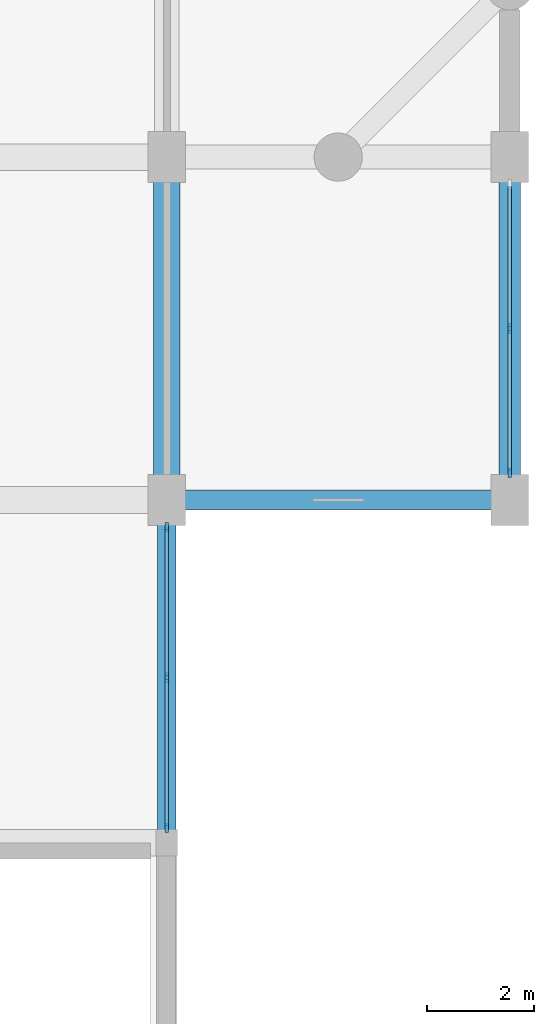
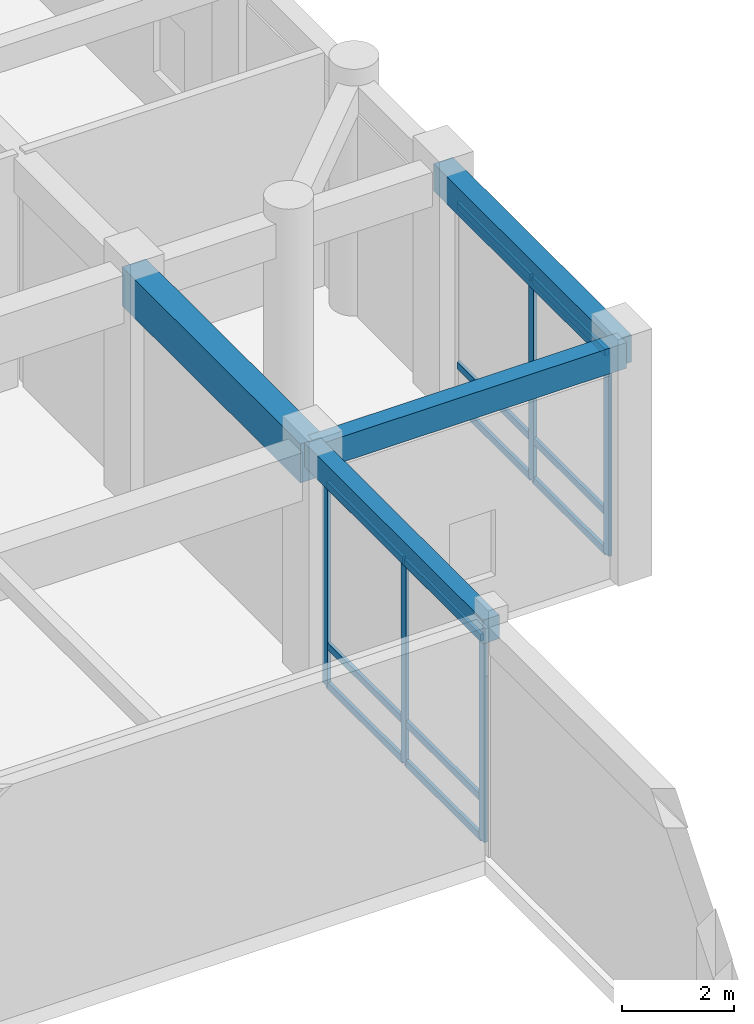
# One storey, part 14 of 36: 17 members, 4 beams, 2 elements without a shape of their own.
"""IFC4 building model written with IfcOpenShell, lengths in metres."""

import ifcopenshell
import ifcopenshell.guid

model = None  # the IFC model being written
_history = None  # IfcOwnerHistory: only IFC2X3 demands one
_inside = {}  # id of a spatial element -> (the spatial element, [elements in it])
_under = {}  # id of a project, library or spatial element -> (it, [spatial elements below it])
_declared = {}  # id of a project -> (the project, [libraries it declares])
_typed = {}  # id of a type object -> (the type object, [elements of that type])
_made_of = {}  # id of a material, layer set ... -> (it, [elements and type objects made of it])


def new_model(schema):
    """Start an empty IFC model of exactly this schema.

    Asked for "IFC4X3", IfcOpenShell would pick the latest addendum, in which some entities
    have other attributes; the version numbers below select the first issue.
    IFC2X3 requires an IfcOwnerHistory on every rooted entity: one is made here for all.
    """
    global model, _history
    if schema == "IFC4X3":
        model = ifcopenshell.file(schema_version=(4, 3, 0, 0))
    else:
        model = ifcopenshell.file(schema=schema)
    _inside.clear()
    _under.clear()
    _declared.clear()
    _typed.clear()
    _made_of.clear()
    _history = None
    if model.schema == "IFC2X3":
        org = make("IfcOrganization", Name="unknown")
        user = make(
            "IfcPersonAndOrganization",
            ThePerson=make("IfcPerson", FamilyName="unknown"),
            TheOrganization=org,
        )
        app = make(
            "IfcApplication",
            ApplicationDeveloper=org,
            Version="unknown",
            ApplicationFullName="unknown",
            ApplicationIdentifier="unknown",
        )
        _history = make(
            "IfcOwnerHistory",
            OwningUser=user,
            OwningApplication=app,
            ChangeAction="ADDED",
            CreationDate=0,
        )
    return model


def make(cls, **values):
    """One entity of the class cls with the attributes given. An attribute that is None is left unset."""
    return model.create_entity(
        cls, **{name: value for name, value in values.items() if value is not None}
    )


def rooted(cls, **values):
    """An entity with a GlobalId (a new one), such as an element, a storey or a relation."""
    return make(cls, GlobalId=ifcopenshell.guid.new(), OwnerHistory=_history, **values)


def si_unit(unit_type, name, prefix=None):
    """IfcSIUnit, for example si_unit("LENGTHUNIT", "METRE", prefix="MILLI")."""
    return make("IfcSIUnit", UnitType=unit_type, Prefix=prefix, Name=name)


def assignment(units):
    """IfcUnitAssignment: the units of a project."""
    return None if units is None else make("IfcUnitAssignment", Units=units)


def point(xyz):
    """IfcCartesianPoint."""
    return None if xyz is None else make("IfcCartesianPoint", Coordinates=xyz)


def direction(xyz):
    """IfcDirection."""
    return None if xyz is None else make("IfcDirection", DirectionRatios=xyz)


def frame(location, z_axis=None, x_axis=None):
    """IfcAxis2Placement3D, a coordinate frame: its origin and axes. An axis left out is left unset."""
    return make(
        "IfcAxis2Placement3D",
        Location=point(location),
        Axis=direction(z_axis),
        RefDirection=direction(x_axis),
    )


def frame_2d(location, x_axis=None):
    """IfcAxis2Placement2D, a coordinate frame in the plane: its origin and x axis."""
    return make(
        "IfcAxis2Placement2D", Location=point(location), RefDirection=direction(x_axis)
    )


def origin():
    """The frame at (0, 0, 0) with its axes left unset."""
    return frame((0.0, 0.0, 0.0))


def origin_2d():
    """The frame at (0, 0) in the plane with its x axis left unset."""
    return frame_2d((0.0, 0.0))


def place(relative_to, where):
    """IfcLocalPlacement: puts the frame where relative to a parent placement (None: the world)."""
    return make(
        "IfcLocalPlacement", PlacementRelTo=relative_to, RelativePlacement=where
    )


def context(
    kind, dimensions, precision=None, world=None, true_north=None, identifier=None
):
    """IfcGeometricRepresentationContext, for example the 3D "Model" context."""
    return make(
        "IfcGeometricRepresentationContext",
        ContextIdentifier=identifier,
        ContextType=kind,
        CoordinateSpaceDimension=dimensions,
        Precision=precision,
        WorldCoordinateSystem=world,
        TrueNorth=true_north,
    )


def subcontext(parent, identifier, kind, view, scale=None):
    """IfcGeometricRepresentationSubContext, for example "Body" below "Model"."""
    return make(
        "IfcGeometricRepresentationSubContext",
        ContextIdentifier=identifier,
        ContextType=kind,
        ParentContext=parent,
        TargetScale=scale,
        TargetView=view,
    )


def project(units=None, contexts=None):
    """IfcProject with its units and contexts."""
    return rooted(
        "IfcProject",
        Name="project",
        RepresentationContexts=contexts,
        UnitsInContext=assignment(units),
    )


def spatial(cls, under=None, at=None, **own):
    """A site, building, storey or space (cls), placed at a placement, below another one or the project."""
    s = rooted(cls, ObjectPlacement=at, **own)
    if under is not None:
        _under.setdefault(under.id(), (under, []))[1].append(s)
    return s


def profile(cls, at=None, kind="AREA", **sizes):
    """A parametric profile (cls). Its sizes go by their IFC names, for example OverallWidth=200.0."""
    return make(cls, ProfileType=kind, Position=at, **sizes)


def rectangle(**sizes):
    """IfcRectangleProfileDef."""
    return profile("IfcRectangleProfileDef", **sizes)


def extrude(swept, where, along, depth):
    """IfcExtrudedAreaSolid: the profile swept, set in the frame where, extruded along a direction by depth."""
    return make(
        "IfcExtrudedAreaSolid",
        SweptArea=swept,
        Position=where,
        ExtrudedDirection=direction(along),
        Depth=depth,
    )


def shape(context_of_items, identifier, shape_type, items):
    """IfcShapeRepresentation: the items that make up one representation, for example the "Body"."""
    return make(
        "IfcShapeRepresentation",
        ContextOfItems=context_of_items,
        RepresentationIdentifier=identifier,
        RepresentationType=shape_type,
        Items=items,
    )


def material(Name=None, Category=None):
    """IfcMaterial."""
    return make("IfcMaterial", Name=Name, Category=Category)


def material_profile(
    of_material, cross_section, Name=None, Category=None, Priority=None
):
    """IfcMaterialProfile: a cross section and its material."""
    return make(
        "IfcMaterialProfile",
        Name=Name,
        Material=of_material,
        Profile=cross_section,
        Priority=Priority,
        Category=Category,
    )


def profile_set(profiles, Name=None, composite=None):
    """IfcMaterialProfileSet."""
    return make(
        "IfcMaterialProfileSet",
        Name=Name,
        MaterialProfiles=profiles,
        CompositeProfile=composite,
    )


def made_of(thing, what):
    """Note that an element or type object is made of a material, layer set ...; save() writes the relation."""
    if what is not None:
        _made_of.setdefault(what.id(), (what, []))[1].append(thing)
    return thing


def type_object(cls, material=None, **own):
    """A type object (cls), such as IfcWallType, which elements share."""
    return made_of(rooted(cls, **own), material)


def element(
    cls,
    number,
    at=None,
    inside=None,
    cuts=None,
    type_object=None,
    material=None,
    context=None,
    identifier="Body",
    shape_type=None,
    held_by="IfcProductDefinitionShape",
    body=None,
    shapes=None,
    **own,
):
    """One element of the class cls, such as IfcWall. Its Tag is "e" and its number.

    at: its placement. inside: the storey or other place that contains it. cuts: it is an
    opening in that element (IfcRelVoidsElement). A single representation is given by context,
    identifier, shape_type and body (its items); several are given by shapes. held_by: the class
    of the entity that holds the representations. save() writes the other relations.
    """
    e = rooted(cls, Tag="e%d" % number, ObjectPlacement=at, **own)
    if body is not None:
        shapes = [shape(context, identifier, shape_type, body)]
    if shapes is not None:
        e.Representation = make(held_by, Representations=shapes)
    if inside is not None:
        _inside.setdefault(inside.id(), (inside, []))[1].append(e)
    if cuts is not None:
        rooted(
            "IfcRelVoidsElement", RelatingBuildingElement=cuts, RelatedOpeningElement=e
        )
    if type_object is not None:
        _typed.setdefault(type_object.id(), (type_object, []))[1].append(e)
    return made_of(e, material)


def aggregate(whole, parts):
    """IfcRelAggregates: a whole, such as a stair, and the parts it consists of."""
    return rooted("IfcRelAggregates", RelatingObject=whole, RelatedObjects=parts)


def save(model, path):
    """Write the relations noted so far, then the file.

    IfcRelAggregates (storeys below a building ...), IfcRelContainedInSpatialStructure (elements
    in a storey), IfcRelDefinesByType, IfcRelAssociatesMaterial and IfcRelDeclares: one each for
    every whole, place, type object, material and project.
    """
    for whole, parts in _under.values():
        aggregate(whole, parts)
    for where, things in _inside.values():
        rooted(
            "IfcRelContainedInSpatialStructure",
            RelatedElements=things,
            RelatingStructure=where,
        )
    for kind, things in _typed.values():
        rooted("IfcRelDefinesByType", RelatedObjects=things, RelatingType=kind)
    for what, things in _made_of.values():
        rooted("IfcRelAssociatesMaterial", RelatedObjects=things, RelatingMaterial=what)
    for by, libraries in _declared.values():
        rooted("IfcRelDeclares", RelatingContext=by, RelatedDefinitions=libraries)
    model.write(path)


model = new_model("IFC4")

# Units and contexts
model_context = context("Model", 3, precision=1e-05, world=origin(), true_north=direction((0.0, 1.0)))
body_context = subcontext(model_context, "Body", "Model", "MODEL_VIEW")
ifc_project = project(units=[si_unit("LENGTHUNIT", "METRE"), si_unit("AREAUNIT", "SQUARE_METRE"), si_unit("VOLUMEUNIT", "CUBIC_METRE"), si_unit("PLANEANGLEUNIT", "RADIAN"), si_unit("MASSUNIT", "GRAM", prefix="KILO")], contexts=[model_context])

# Site, building, storey
site_placement = place(None, origin())
site = spatial("IfcSite", under=ifc_project, at=site_placement, CompositionType="ELEMENT")
building_placement = place(site_placement, origin())
building = spatial("IfcBuilding", under=site, at=building_placement, Name="Vellmiral Cinema and Media Centre", CompositionType="ELEMENT")
storey_placement = place(building_placement, frame((0.0, 0.0, 5.39990234375)))
storey = spatial("IfcBuildingStorey", under=building, at=storey_placement, Name="L01", CompositionType="ELEMENT", Elevation=5.39990234375)

# Beam
ifc_material_1 = material(Name="Concrete C40/50", Category="concrete")
ifc_material_profile_1 = material_profile(ifc_material_1, rectangle(XDim=0.5, YDim=0.85009765625, at=origin_2d()), Name="RC 500x850")
ifc_profile_set_1 = profile_set([ifc_material_profile_1], Name="Concrete C40/50")
beam_type_1 = type_object("IfcBeamType", Name="BM-RC-500x850", PredefinedType="BEAM", material=ifc_profile_set_1)
beam_1_placement = place(storey_placement, frame((161.60009765625, 65.60009765625, 4.610107421875), z_axis=(0.0, 1.0, 0.0), x_axis=(-1.0, 0.0, 0.0)))
element("IfcBeam", 1, at=beam_1_placement, inside=storey, type_object=beam_type_1, Name="Grid Beam L01-Y338", PredefinedType="BEAM", context=body_context, shape_type="SweptSolid", body=[
    extrude(rectangle(XDim=0.5, YDim=0.85009765625, at=origin_2d()), origin(), (0.0, 0.0, 1.0), 6.39990234375),
])

# Curtain wall, members
ifc_material_2 = material(Name="Thermally Broken Aluminium and Triple Glazing", Category="aluminium")
curtain_wall_type = type_object("IfcCurtainWallType", Name="CW-LIB-BAY", PredefinedType="USERDEFINED", material=ifc_material_2)
curtain_wall_1_placement = place(storey_placement, origin())
curtain_wall_1 = element("IfcCurtainWall", 2, at=curtain_wall_1_placement, inside=storey, type_object=curtain_wall_type, Name="Curtain Wall L01-B034", ObjectType="STICK CURTAIN WALL", PredefinedType="USERDEFINED")
ifc_material_3 = material(Name="Thermally Broken Anodised Aluminium", Category="aluminium")
ifc_material_profile_2 = material_profile(ifc_material_3, rectangle(XDim=0.070068359375, YDim=0.179931640625, at=origin_2d()), Name="MULL 70x180")
ifc_profile_set_2 = profile_set([ifc_material_profile_2], Name="Thermally Broken Anodised Aluminium")
member_type_1 = type_object("IfcMemberType", Name="CWM-70x180", PredefinedType="MULLION", material=ifc_profile_set_2)
member_1_placement = place(storey_placement, frame((161.60009765625, 59.485107421875, 0.0), z_axis=(0.0, 0.0, 1.0), x_axis=(-1.0, 0.0, 0.0)))
member_1 = element("IfcMember", 3, at=member_1_placement, type_object=member_type_1, Name="CW-03 mullion 1", PredefinedType="MULLION", context=body_context, shape_type="SweptSolid", body=[
    extrude(rectangle(XDim=0.070068359375, YDim=0.179931640625, at=origin_2d()), origin(), (0.0, 0.0, 1.0), 4.440185546875),
])
member_2_placement = place(storey_placement, frame((161.60009765625, 62.28759765625, 0.0), z_axis=(0.0, 0.0, 1.0), x_axis=(-1.0, 0.0, 0.0)))
member_2 = element("IfcMember", 4, at=member_2_placement, type_object=member_type_1, Name="CW-03 mullion 2", PredefinedType="MULLION", context=body_context, shape_type="SweptSolid", body=[
    extrude(rectangle(XDim=0.070068359375, YDim=0.179931640625, at=origin_2d()), origin(), (0.0, 0.0, 1.0), 4.440185546875),
])
member_3_placement = place(storey_placement, frame((161.60009765625, 65.090087890625, 0.0), z_axis=(0.0, 0.0, 1.0), x_axis=(-1.0, 0.0, 0.0)))
member_3 = element("IfcMember", 5, at=member_3_placement, type_object=member_type_1, Name="CW-03 mullion 3", PredefinedType="MULLION", context=body_context, shape_type="SweptSolid", body=[
    extrude(rectangle(XDim=0.070068359375, YDim=0.179931640625, at=origin_2d()), origin(), (0.0, 0.0, 1.0), 4.440185546875),
])

curtain_wall_2_placement = place(storey_placement, origin())
curtain_wall_2 = element("IfcCurtainWall", 6, at=curtain_wall_2_placement, inside=storey, type_object=curtain_wall_type, Name="Curtain Wall L01-B036", ObjectType="STICK CURTAIN WALL", PredefinedType="USERDEFINED")
member_4_placement = place(storey_placement, frame((168.0, 66.110107421875, 0.0), z_axis=(0.0, 0.0, 1.0), x_axis=(-1.0, 0.0, 0.0)))
member_4 = element("IfcMember", 7, at=member_4_placement, type_object=member_type_1, Name="CW-03 mullion 1", PredefinedType="MULLION", context=body_context, shape_type="SweptSolid", body=[
    extrude(rectangle(XDim=0.070068359375, YDim=0.179931640625, at=origin_2d()), origin(), (0.0, 0.0, 1.0), 4.425048828125),
])
member_5_placement = place(storey_placement, frame((168.0, 68.800048828125, 0.0), z_axis=(0.0, 0.0, 1.0), x_axis=(-1.0, 0.0, 0.0)))
member_5 = element("IfcMember", 8, at=member_5_placement, type_object=member_type_1, Name="CW-03 mullion 2", PredefinedType="MULLION", context=body_context, shape_type="SweptSolid", body=[
    extrude(rectangle(XDim=0.070068359375, YDim=0.179931640625, at=origin_2d()), origin(), (0.0, 0.0, 1.0), 4.425048828125),
])

# Member
ifc_material_4 = material(Name="Thermally Broken Anodised Aluminium", Category="aluminium")
ifc_material_profile_3 = material_profile(ifc_material_4, rectangle(XDim=0.070068359375, YDim=0.14990234375, at=origin_2d()), Name="MULL 70x150")
ifc_profile_set_3 = profile_set([ifc_material_profile_3], Name="Thermally Broken Anodised Aluminium")
member_type_2 = type_object("IfcMemberType", Name="CWT-70x150", PredefinedType="USERDEFINED", material=ifc_profile_set_3)
member_6_placement = place(storey_placement, frame((161.60009765625, 59.52001953125, 0.03515625), z_axis=(0.0, 1.0, 0.0), x_axis=(-1.0, 0.0, 0.0)))
member_6 = element("IfcMember", 9, at=member_6_placement, type_object=member_type_2, Name="CW-03 transom 1.1", ObjectType="TRANSOM", PredefinedType="USERDEFINED", context=body_context, shape_type="SweptSolid", body=[
    extrude(rectangle(XDim=0.070068359375, YDim=0.14990234375, at=origin_2d()), origin(), (0.0, 0.0, 1.0), 2.732421875),
])

member_7_placement = place(storey_placement, frame((161.60009765625, 59.52001953125, 0.900146484375), z_axis=(0.0, 1.0, 0.0), x_axis=(-1.0, 0.0, 0.0)))
member_7 = element("IfcMember", 10, at=member_7_placement, type_object=member_type_2, Name="CW-03 transom 1.2", ObjectType="TRANSOM", PredefinedType="USERDEFINED", context=body_context, shape_type="SweptSolid", body=[
    extrude(rectangle(XDim=0.070068359375, YDim=0.14990234375, at=origin_2d()), origin(), (0.0, 0.0, 1.0), 2.732421875),
])

member_8_placement = place(storey_placement, frame((161.60009765625, 59.52001953125, 4.405029296875), z_axis=(0.0, 1.0, 0.0), x_axis=(-1.0, 0.0, 0.0)))
member_8 = element("IfcMember", 11, at=member_8_placement, type_object=member_type_2, Name="CW-03 transom 1.3", ObjectType="TRANSOM", PredefinedType="USERDEFINED", context=body_context, shape_type="SweptSolid", body=[
    extrude(rectangle(XDim=0.070068359375, YDim=0.14990234375, at=origin_2d()), origin(), (0.0, 0.0, 1.0), 2.732421875),
])

member_9_placement = place(storey_placement, frame((161.60009765625, 62.322509765625, 0.03515625), z_axis=(0.0, 1.0, 0.0), x_axis=(-1.0, 0.0, 0.0)))
member_9 = element("IfcMember", 12, at=member_9_placement, type_object=member_type_2, Name="CW-03 transom 2.1", ObjectType="TRANSOM", PredefinedType="USERDEFINED", context=body_context, shape_type="SweptSolid", body=[
    extrude(rectangle(XDim=0.070068359375, YDim=0.14990234375, at=origin_2d()), origin(), (0.0, 0.0, 1.0), 2.732421875),
])

member_10_placement = place(storey_placement, frame((161.60009765625, 62.322509765625, 0.900146484375), z_axis=(0.0, 1.0, 0.0), x_axis=(-1.0, 0.0, 0.0)))
member_10 = element("IfcMember", 13, at=member_10_placement, type_object=member_type_2, Name="CW-03 transom 2.2", ObjectType="TRANSOM", PredefinedType="USERDEFINED", context=body_context, shape_type="SweptSolid", body=[
    extrude(rectangle(XDim=0.070068359375, YDim=0.14990234375, at=origin_2d()), origin(), (0.0, 0.0, 1.0), 2.732421875),
])

member_11_placement = place(storey_placement, frame((161.60009765625, 62.322509765625, 4.405029296875), z_axis=(0.0, 1.0, 0.0), x_axis=(-1.0, 0.0, 0.0)))
member_11 = element("IfcMember", 14, at=member_11_placement, type_object=member_type_2, Name="CW-03 transom 2.3", ObjectType="TRANSOM", PredefinedType="USERDEFINED", context=body_context, shape_type="SweptSolid", body=[
    extrude(rectangle(XDim=0.070068359375, YDim=0.14990234375, at=origin_2d()), origin(), (0.0, 0.0, 1.0), 2.732421875),
])

aggregate(curtain_wall_1, [member_1, member_2, member_3, member_6, member_7, member_8, member_9, member_10, member_11])

member_12_placement = place(storey_placement, frame((168.0, 66.14501953125, 0.03515625), z_axis=(0.0, 1.0, 0.0), x_axis=(-1.0, 0.0, 0.0)))
member_12 = element("IfcMember", 15, at=member_12_placement, type_object=member_type_2, Name="CW-03 transom 1.1", ObjectType="TRANSOM", PredefinedType="USERDEFINED", context=body_context, shape_type="SweptSolid", body=[
    extrude(rectangle(XDim=0.070068359375, YDim=0.14990234375, at=origin_2d()), origin(), (0.0, 0.0, 1.0), 2.619873046875),
])

member_13_placement = place(storey_placement, frame((168.0, 66.14501953125, 0.900146484375), z_axis=(0.0, 1.0, 0.0), x_axis=(-1.0, 0.0, 0.0)))
member_13 = element("IfcMember", 16, at=member_13_placement, type_object=member_type_2, Name="CW-03 transom 1.2", ObjectType="TRANSOM", PredefinedType="USERDEFINED", context=body_context, shape_type="SweptSolid", body=[
    extrude(rectangle(XDim=0.070068359375, YDim=0.14990234375, at=origin_2d()), origin(), (0.0, 0.0, 1.0), 2.619873046875),
])

member_14_placement = place(storey_placement, frame((168.0, 66.14501953125, 4.39013671875), z_axis=(0.0, 1.0, 0.0), x_axis=(-1.0, 0.0, 0.0)))
member_14 = element("IfcMember", 17, at=member_14_placement, type_object=member_type_2, Name="CW-03 transom 1.3", ObjectType="TRANSOM", PredefinedType="USERDEFINED", context=body_context, shape_type="SweptSolid", body=[
    extrude(rectangle(XDim=0.070068359375, YDim=0.14990234375, at=origin_2d()), origin(), (0.0, 0.0, 1.0), 2.619873046875),
])

member_15_placement = place(storey_placement, frame((168.0, 68.8349609375, 0.03515625), z_axis=(0.0, 1.0, 0.0), x_axis=(-1.0, 0.0, 0.0)))
member_15 = element("IfcMember", 18, at=member_15_placement, type_object=member_type_2, Name="CW-03 transom 2.1", ObjectType="TRANSOM", PredefinedType="USERDEFINED", context=body_context, shape_type="SweptSolid", body=[
    extrude(rectangle(XDim=0.070068359375, YDim=0.14990234375, at=origin_2d()), origin(), (0.0, 0.0, 1.0), 2.6201171875),
])

member_16_placement = place(storey_placement, frame((168.0, 68.8349609375, 0.900146484375), z_axis=(0.0, 1.0, 0.0), x_axis=(-1.0, 0.0, 0.0)))
member_16 = element("IfcMember", 19, at=member_16_placement, type_object=member_type_2, Name="CW-03 transom 2.2", ObjectType="TRANSOM", PredefinedType="USERDEFINED", context=body_context, shape_type="SweptSolid", body=[
    extrude(rectangle(XDim=0.070068359375, YDim=0.14990234375, at=origin_2d()), origin(), (0.0, 0.0, 1.0), 2.6201171875),
])

member_17_placement = place(storey_placement, frame((168.0, 68.8349609375, 4.39013671875), z_axis=(0.0, 1.0, 0.0), x_axis=(-1.0, 0.0, 0.0)))
member_17 = element("IfcMember", 20, at=member_17_placement, type_object=member_type_2, Name="CW-03 transom 2.3", ObjectType="TRANSOM", PredefinedType="USERDEFINED", context=body_context, shape_type="SweptSolid", body=[
    extrude(rectangle(XDim=0.070068359375, YDim=0.14990234375, at=origin_2d()), origin(), (0.0, 0.0, 1.0), 2.6201171875),
])

aggregate(curtain_wall_2, [member_4, member_5, member_12, member_13, member_14, member_15, member_16, member_17])

# Beams
ifc_material_5 = material(Name="Concrete C40/50", Category="concrete")
ifc_material_profile_4 = material_profile(ifc_material_5, rectangle(XDim=0.35009765625, YDim=0.56005859375, at=origin_2d()), Name="RC 350x560")
ifc_profile_set_4 = profile_set([ifc_material_profile_4], Name="Concrete C40/50")
beam_type_2 = type_object("IfcBeamType", Name="SPD-RC-350x560", PredefinedType="SPANDREL", material=ifc_profile_set_4)
beam_2_placement = place(storey_placement, frame((161.60009765625, 65.60009765625, 4.755126953125), z_axis=(1.0, 0.0, 0.0), x_axis=(0.0, 1.0, 0.0)))
element("IfcBeam", 21, at=beam_2_placement, inside=storey, type_object=beam_type_2, Name="Grid Beam L01-X090", PredefinedType="SPANDREL", context=body_context, shape_type="SweptSolid", body=[
    extrude(rectangle(XDim=0.35009765625, YDim=0.56005859375, at=origin_2d()), origin(), (0.0, 0.0, 1.0), 6.39990234375),
])
ifc_material_6 = material(Name="Concrete C40/50", Category="concrete")
ifc_material_profile_5 = material_profile(ifc_material_6, rectangle(XDim=0.39990234375, YDim=0.60009765625, at=origin_2d()), Name="RC 400x600")
ifc_profile_set_5 = profile_set([ifc_material_profile_5], Name="Concrete C40/50")
beam_type_3 = type_object("IfcBeamType", Name="SPD-RC-400x600", PredefinedType="SPANDREL", material=ifc_profile_set_5)
beam_3_placement = place(storey_placement, frame((168.0, 65.60009765625, 4.735107421875), z_axis=(0.0, 1.0, 0.0), x_axis=(-1.0, 0.0, 0.0)))
element("IfcBeam", 22, at=beam_3_placement, inside=storey, type_object=beam_type_3, Name="Grid Beam L01-Y344", PredefinedType="SPANDREL", context=body_context, shape_type="SweptSolid", body=[
    extrude(rectangle(XDim=0.39990234375, YDim=0.60009765625, at=origin_2d()), origin(), (0.0, 0.0, 1.0), 6.39990234375),
])
ifc_material_7 = material(Name="Vosges Red Sandstone Masonry", Category="masonry")
ifc_material_profile_6 = material_profile(ifc_material_7, rectangle(XDim=0.340087890625, YDim=0.52001953125, at=origin_2d()), Name="SAND 340x520")
ifc_profile_set_6 = profile_set([ifc_material_profile_6], Name="Vosges Red Sandstone Masonry")
beam_type_4 = type_object("IfcBeamType", Name="SPD-SAND-340x520", PredefinedType="SPANDREL", material=ifc_profile_set_6)
beam_4_placement = place(storey_placement, frame((161.60009765625, 59.199951171875, 4.775146484375), z_axis=(0.0, 1.0, 0.0), x_axis=(-1.0, 0.0, 0.0)))
element("IfcBeam", 23, at=beam_4_placement, inside=storey, type_object=beam_type_4, Name="Grid Beam L01-Y337", PredefinedType="SPANDREL", context=body_context, shape_type="SweptSolid", body=[
    extrude(rectangle(XDim=0.340087890625, YDim=0.52001953125, at=origin_2d()), origin(), (0.0, 0.0, 1.0), 6.400146484375),
])

save(model, "model.ifc")
